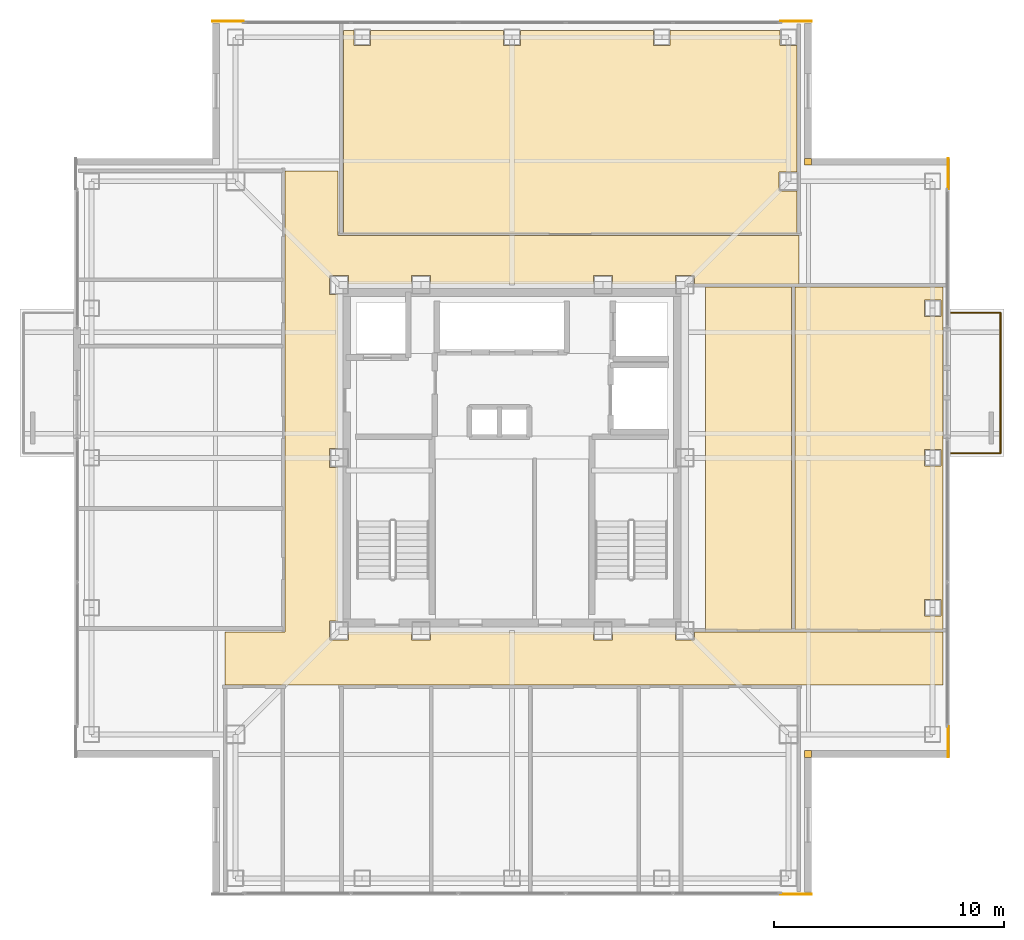
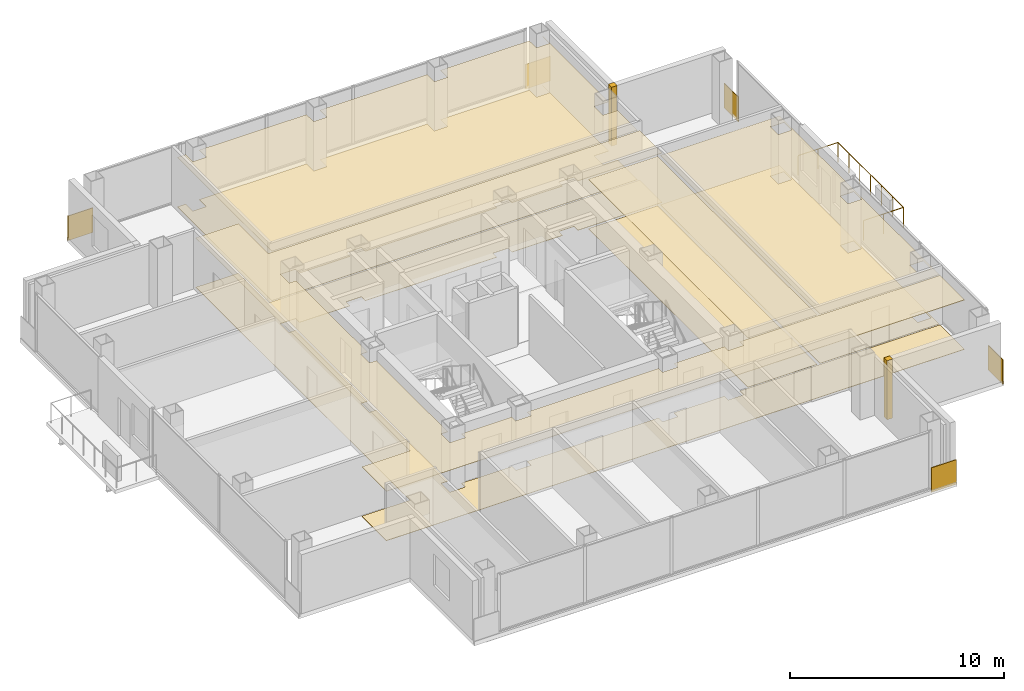
# One storey, part 13 of 13: 15 coverings, 3 railings.
"""IFC4 building model written with IfcOpenShell, lengths in metres."""

from ifc_helpers import new_model, si_unit, direction, frame, frame_2d, origin, origin_2d, place, context, subcontext, project, spatial, polyline, rectangle, circle, outline, extrude, material, layer, layer_set, type_object, element, save


model = new_model("IFC4")

# Units and contexts
model_context = context("Model", 3, precision=1e-05, world=origin(), true_north=direction((0.0, 1.0)))
body_context = subcontext(model_context, "Body", "Model", "MODEL_VIEW")
ifc_project = project(units=[si_unit("LENGTHUNIT", "METRE"), si_unit("AREAUNIT", "SQUARE_METRE"), si_unit("VOLUMEUNIT", "CUBIC_METRE"), si_unit("PLANEANGLEUNIT", "RADIAN"), si_unit("MASSUNIT", "GRAM", prefix="KILO")], contexts=[model_context])

# Site, building, storey
site_placement = place(None, origin())
site = spatial("IfcSite", under=ifc_project, at=site_placement, CompositionType="ELEMENT")
building_placement = place(site_placement, origin())
building = spatial("IfcBuilding", under=site, at=building_placement, Name="Trevonay Congress Spire", CompositionType="ELEMENT")
storey_placement = place(building_placement, frame((0.0, 0.0, 286.39990234375)))
storey = spatial("IfcBuildingStorey", under=building, at=storey_placement, Name="L75", CompositionType="ELEMENT", Elevation=286.39990234375)

# Coverings
ifc_material_1 = material(Name="Acoustic Mineral Fibre Board", Category="gypsum")
ifc_layer_1 = layer(ifc_material_1, 0.02490234375, Name="Acoustic Mineral Fibre Board")
ifc_layer_set_1 = layer_set([ifc_layer_1], Name="Acoustic Mineral Fibre Board")
covering_type_1 = type_object("IfcCoveringType", Name="COV-CEIL-ACOUSTIC", PredefinedType="CEILING", material=ifc_layer_set_1)
covering_1_placement = place(storey_placement, frame((0.0, 0.0, 2.81005859375)))
element("IfcCovering", 1, at=covering_1_placement, inside=storey, type_object=covering_type_1, Name="L75 Cruciform Boulevard Corridor acoustic suspended ceiling", PredefinedType="CEILING", context=body_context, shape_type="SweptSolid", body=[
    extrude(outline(polyline([(18.699951171875, -7.550048828125), (18.699951171875, -9.85009765625), (-12.449951171875, -9.85009765625), (-12.449951171875, -7.550048828125), (-9.85009765625, -7.550048828125), (-9.85009765625, 12.449951171875), (-7.550048828125, 12.449951171875), (-7.550048828125, 9.64990234375), (12.449951171875, 9.64990234375), (12.449951171875, 7.550048828125), (7.909912109375, 7.550048828125), (7.909912109375, 7.909912109375), (7.090087890625, 7.909912109375), (7.090087890625, 7.550048828125), (4.360107421875, 7.550048828125), (4.360107421875, 7.909912109375), (3.5400390625, 7.909912109375), (3.5400390625, 7.550048828125), (-3.5400390625, 7.550048828125), (-3.5400390625, 7.909912109375), (-4.360107421875, 7.909912109375), (-4.360107421875, 7.550048828125), (-7.090087890625, 7.550048828125), (-7.090087890625, 7.909912109375), (-7.909912109375, 7.909912109375), (-7.909912109375, 7.090087890625), (-7.550048828125, 7.090087890625), (-7.550048828125, 0.409912109375), (-7.909912109375, 0.409912109375), (-7.909912109375, -0.409912109375), (-7.550048828125, -0.409912109375), (-7.550048828125, -7.090087890625), (-7.909912109375, -7.090087890625), (-7.909912109375, -7.909912109375), (-7.090087890625, -7.909912109375), (-7.090087890625, -7.550048828125), (-4.360107421875, -7.550048828125), (-4.360107421875, -7.909912109375), (-3.5400390625, -7.909912109375), (-3.5400390625, -7.550048828125), (3.5400390625, -7.550048828125), (3.5400390625, -7.909912109375), (4.360107421875, -7.909912109375), (4.360107421875, -7.550048828125), (7.090087890625, -7.550048828125), (7.090087890625, -7.909912109375), (7.909912109375, -7.909912109375), (7.909912109375, -7.550048828125), (18.699951171875, -7.550048828125)])), origin(), (0.0, 0.0, 1.0), 0.025146484375),
])
covering_2_placement = place(storey_placement, frame((0.0, 0.0, 2.81005859375)))
element("IfcCovering", 2, at=covering_2_placement, inside=storey, type_object=covering_type_1, Name="L75 Sky Chamber Recital Auditorium acoustic suspended ceiling", PredefinedType="CEILING", context=body_context, shape_type="SweptSolid", body=[
    extrude(outline(polyline([(12.3701171875, 9.72998046875), (-7.320068359375, 9.72998046875), (-7.320068359375, 18.550048828125), (-6.860107421875, 18.550048828125), (-6.860107421875, 17.889892578125), (-6.139892578125, 17.889892578125), (-6.139892578125, 18.550048828125), (-0.360107421875, 18.550048828125), (-0.360107421875, 17.889892578125), (0.360107421875, 17.889892578125), (0.360107421875, 18.550048828125), (6.139892578125, 18.550048828125), (6.139892578125, 17.889892578125), (6.860107421875, 17.889892578125), (6.860107421875, 18.550048828125), (11.639892578125, 18.550048828125), (11.639892578125, 17.889892578125), (12.360107421875, 17.889892578125), (12.360107421875, 18.550048828125), (12.3701171875, 18.550048828125), (12.3701171875, 12.409912109375), (11.590087890625, 12.409912109375), (11.590087890625, 11.590087890625), (12.3701171875, 11.590087890625), (12.3701171875, 9.72998046875)])), origin(), (0.0, 0.0, 1.0), 0.025146484375),
])
covering_3_placement = place(storey_placement, frame((0.0, 0.0, 2.81005859375)))
element("IfcCovering", 3, at=covering_3_placement, inside=storey, type_object=covering_type_1, Name="L75 Executive Study Office acoustic suspended ceiling", PredefinedType="CEILING", context=body_context, shape_type="SweptSolid", body=[
    extrude(outline(polyline([(8.39990234375, -7.47998046875), (12.1201171875, -7.47998046875), (12.1201171875, 7.419921875), (8.39990234375, 7.419921875), (8.39990234375, -7.47998046875)])), origin(), (0.0, 0.0, 1.0), 0.025146484375),
])
covering_4_placement = place(storey_placement, frame((0.0, 0.0, 2.81005859375)))
element("IfcCovering", 4, at=covering_4_placement, inside=storey, type_object=covering_type_1, Name="L75 Catering Pantry acoustic suspended ceiling", PredefinedType="CEILING", context=body_context, shape_type="SweptSolid", body=[
    extrude(outline(polyline([(12.280029296875, 7.419921875), (18.699951171875, 7.419921875), (18.699951171875, -7.47998046875), (12.280029296875, -7.47998046875), (12.280029296875, 7.419921875)]), holes=[polyline([(17.889892578125, -6.860107421875), (18.610107421875, -6.860107421875), (18.610107421875, -6.139892578125), (17.889892578125, -6.139892578125), (17.889892578125, -6.860107421875)]), polyline([(17.889892578125, 0.360107421875), (17.889892578125, -0.360107421875), (18.610107421875, -0.360107421875), (18.610107421875, 0.360107421875), (17.889892578125, 0.360107421875)]), polyline([(17.889892578125, 6.860107421875), (17.889892578125, 6.139892578125), (18.610107421875, 6.139892578125), (18.610107421875, 6.860107421875), (17.889892578125, 6.860107421875)])]), origin(), (0.0, 0.0, 1.0), 0.025146484375),
])
ifc_material_2 = material(Name="Polished Granite Floor Tile", Category="masonry")
ifc_layer_2 = layer(ifc_material_2, 0.02001953125, Name="Polished Granite Floor Tile")
ifc_layer_set_2 = layer_set([ifc_layer_2], Name="Polished Granite Floor Tile")
covering_type_2 = type_object("IfcCoveringType", Name="COV-FLOOR-STONE", PredefinedType="FLOORING", material=ifc_layer_set_2)
covering_5_placement = place(storey_placement, origin())
element("IfcCovering", 5, at=covering_5_placement, inside=storey, type_object=covering_type_2, Name="L75 Cruciform Boulevard Corridor floor finish", PredefinedType="FLOORING", context=body_context, shape_type="SweptSolid", body=[
    extrude(outline(polyline([(18.699951171875, -7.550048828125), (18.699951171875, -9.85009765625), (-12.449951171875, -9.85009765625), (-12.449951171875, -7.550048828125), (-9.85009765625, -7.550048828125), (-9.85009765625, 12.449951171875), (-7.550048828125, 12.449951171875), (-7.550048828125, 9.64990234375), (12.449951171875, 9.64990234375), (12.449951171875, 7.550048828125), (7.909912109375, 7.550048828125), (7.909912109375, 7.909912109375), (7.090087890625, 7.909912109375), (7.090087890625, 7.550048828125), (4.360107421875, 7.550048828125), (4.360107421875, 7.909912109375), (3.5400390625, 7.909912109375), (3.5400390625, 7.550048828125), (-3.5400390625, 7.550048828125), (-3.5400390625, 7.909912109375), (-4.360107421875, 7.909912109375), (-4.360107421875, 7.550048828125), (-7.090087890625, 7.550048828125), (-7.090087890625, 7.909912109375), (-7.909912109375, 7.909912109375), (-7.909912109375, 7.090087890625), (-7.550048828125, 7.090087890625), (-7.550048828125, 0.409912109375), (-7.909912109375, 0.409912109375), (-7.909912109375, -0.409912109375), (-7.550048828125, -0.409912109375), (-7.550048828125, -7.090087890625), (-7.909912109375, -7.090087890625), (-7.909912109375, -7.909912109375), (-7.090087890625, -7.909912109375), (-7.090087890625, -7.550048828125), (-4.360107421875, -7.550048828125), (-4.360107421875, -7.909912109375), (-3.5400390625, -7.909912109375), (-3.5400390625, -7.550048828125), (3.5400390625, -7.550048828125), (3.5400390625, -7.909912109375), (4.360107421875, -7.909912109375), (4.360107421875, -7.550048828125), (7.090087890625, -7.550048828125), (7.090087890625, -7.909912109375), (7.909912109375, -7.909912109375), (7.909912109375, -7.550048828125), (18.699951171875, -7.550048828125)])), origin(), (0.0, 0.0, 1.0), 0.02001953125),
])
covering_6_placement = place(storey_placement, origin())
element("IfcCovering", 6, at=covering_6_placement, inside=storey, type_object=covering_type_2, Name="L75 Sky Chamber Recital Auditorium floor finish", PredefinedType="FLOORING", context=body_context, shape_type="SweptSolid", body=[
    extrude(outline(polyline([(12.3701171875, 9.72998046875), (-7.320068359375, 9.72998046875), (-7.320068359375, 18.550048828125), (-6.860107421875, 18.550048828125), (-6.860107421875, 17.889892578125), (-6.139892578125, 17.889892578125), (-6.139892578125, 18.550048828125), (-0.360107421875, 18.550048828125), (-0.360107421875, 17.889892578125), (0.360107421875, 17.889892578125), (0.360107421875, 18.550048828125), (6.139892578125, 18.550048828125), (6.139892578125, 17.889892578125), (6.860107421875, 17.889892578125), (6.860107421875, 18.550048828125), (11.639892578125, 18.550048828125), (11.639892578125, 17.889892578125), (12.360107421875, 17.889892578125), (12.360107421875, 18.550048828125), (12.3701171875, 18.550048828125), (12.3701171875, 12.409912109375), (11.590087890625, 12.409912109375), (11.590087890625, 11.590087890625), (12.3701171875, 11.590087890625), (12.3701171875, 9.72998046875)])), origin(), (0.0, 0.0, 1.0), 0.02001953125),
])
covering_7_placement = place(storey_placement, origin())
element("IfcCovering", 7, at=covering_7_placement, inside=storey, type_object=covering_type_2, Name="L75 Catering Pantry floor finish", PredefinedType="FLOORING", context=body_context, shape_type="SweptSolid", body=[
    extrude(outline(polyline([(12.280029296875, 7.419921875), (18.699951171875, 7.419921875), (18.699951171875, -7.47998046875), (12.280029296875, -7.47998046875), (12.280029296875, 7.419921875)]), holes=[polyline([(17.889892578125, -6.860107421875), (18.610107421875, -6.860107421875), (18.610107421875, -6.139892578125), (17.889892578125, -6.139892578125), (17.889892578125, -6.860107421875)]), polyline([(17.889892578125, 0.360107421875), (17.889892578125, -0.360107421875), (18.610107421875, -0.360107421875), (18.610107421875, 0.360107421875), (17.889892578125, 0.360107421875)]), polyline([(17.889892578125, 6.860107421875), (17.889892578125, 6.139892578125), (18.610107421875, 6.139892578125), (18.610107421875, 6.860107421875), (17.889892578125, 6.860107421875)])]), origin(), (0.0, 0.0, 1.0), 0.02001953125),
])
ifc_material_3 = material(Name="Engineered Oak Flooring", Category="wood")
ifc_layer_3 = layer(ifc_material_3, 0.01806640625, Name="Engineered Oak Flooring")
ifc_layer_set_3 = layer_set([ifc_layer_3], Name="Engineered Oak Flooring")
covering_type_3 = type_object("IfcCoveringType", Name="COV-FLOOR-TIMBER", PredefinedType="FLOORING", material=ifc_layer_set_3)
covering_8_placement = place(storey_placement, origin())
element("IfcCovering", 8, at=covering_8_placement, inside=storey, type_object=covering_type_3, Name="L75 Executive Study Office floor finish", PredefinedType="FLOORING", context=body_context, shape_type="SweptSolid", body=[
    extrude(outline(polyline([(8.39990234375, -7.47998046875), (12.1201171875, -7.47998046875), (12.1201171875, 7.419921875), (8.39990234375, 7.419921875), (8.39990234375, -7.47998046875)])), origin(), (0.0, 0.0, 1.0), 0.01806640625),
])
ifc_material_4 = material(Name="Pale Anodised Aluminium EN AW-6063-T6", Category="aluminium")
ifc_layer_4 = layer(ifc_material_4, 0.0400390625, Name="Pale Anodised Aluminium EN AW-6063-T6")
ifc_layer_set_4 = layer_set([ifc_layer_4], Name="Pale Anodised Aluminium EN AW-6063-T6")
covering_type_4 = type_object("IfcCoveringType", Name="COV-SPANDREL-PALE-METAL", PredefinedType="CLADDING", material=ifc_layer_set_4)
covering_9_placement = place(storey_placement, origin())
element("IfcCovering", 9, at=covering_9_placement, inside=storey, type_object=covering_type_4, Name="L75 SE re-entrant notch corner closure trim", PredefinedType="CLADDING", context=body_context, shape_type="SweptSolid", body=[
    extrude(outline(polyline([(12.699951171875, -13.0), (13.0, -13.0), (13.0, -12.699951171875), (12.699951171875, -12.699951171875), (12.699951171875, -13.0)])), origin(), (0.0, 0.0, 1.0), 3.360107421875),
])
for number, where, z_axis, x_axis, name in (
    (10, (18.93994140625, -11.64990234375, -0.14990234375), (0.0, 0.0, 1.0), (0.0, -1.0, 0.0), "L75 SE corner pier spandrel cladding 1"),
    (11, (11.64990234375, -18.93994140625, -0.14990234375), (0.0, 0.0, 1.0), (1.0, 0.0, 0.0), "L75 SE corner pier spandrel cladding 2"),
):
    element("IfcCovering", number, at=place(storey_placement, frame(where, z_axis=z_axis, x_axis=x_axis)), inside=storey, type_object=covering_type_4, Name=name, PredefinedType="CLADDING", context=body_context, shape_type="SweptSolid", body=[
        extrude(rectangle(XDim=1.35009765625, YDim=0.0400390625, at=frame_2d((0.675048828125, 0.0))), origin(), (0.0, 0.0, 1.0), 1.39990234375),
    ])
covering_10_placement = place(storey_placement, origin())
element("IfcCovering", 12, at=covering_10_placement, inside=storey, type_object=covering_type_4, Name="L75 NE re-entrant notch corner closure trim", PredefinedType="CLADDING", context=body_context, shape_type="SweptSolid", body=[
    extrude(outline(polyline([(12.699951171875, 12.699951171875), (13.0, 12.699951171875), (13.0, 13.0), (12.699951171875, 13.0), (12.699951171875, 12.699951171875)])), origin(), (0.0, 0.0, 1.0), 3.360107421875),
])
for number, where, z_axis, x_axis, name in (
    (13, (18.93994140625, 11.64990234375, -0.14990234375), (0.0, 0.0, 1.0), (0.0, 1.0, 0.0), "L75 NE corner pier spandrel cladding 1"),
    (14, (11.64990234375, 18.93994140625, -0.14990234375), (0.0, 0.0, 1.0), (1.0, 0.0, 0.0), "L75 NE corner pier spandrel cladding 2"),
    (15, (-11.64990234375, 18.93994140625, -0.14990234375), (0.0, 0.0, 1.0), (-1.0, 0.0, 0.0), "L75 NW corner pier spandrel cladding 2"),
):
    element("IfcCovering", number, at=place(storey_placement, frame(where, z_axis=z_axis, x_axis=x_axis)), inside=storey, type_object=covering_type_4, Name=name, PredefinedType="CLADDING", context=body_context, shape_type="SweptSolid", body=[
        extrude(rectangle(XDim=1.35009765625, YDim=0.0400390625, at=frame_2d((0.675048828125, 0.0))), origin(), (0.0, 0.0, 1.0), 1.39990234375),
    ])

# Railings
railing_type = type_object("IfcRailingType", Name="RAL-EXT-GUARD-115", PredefinedType="GUARDRAIL", material=ifc_material_4)
railing_1_placement = place(storey_placement, frame((19.050048828125, 0.199951171875, 0.0)))
element("IfcRailing", 16, at=railing_1_placement, inside=storey, type_object=railing_type, Name="L75 perimeter safety guard GRD-L75-TBAL-E-1", PredefinedType="GUARDRAIL", context=body_context, shape_type="SweptSolid", body=[
    extrude(circle(Radius=0.02392578125, at=origin_2d()), frame((0.0, 0.0, 1.1259765625), z_axis=(1.0, 0.0, 0.0), x_axis=(0.0, 1.0, 0.0)), (0.0, 0.0, 1.0), 2.14990234375),
    extrude(circle(Radius=0.02099609375, at=origin_2d()), origin(), (0.0, 0.0, 1.0), 1.101806640625),
    extrude(circle(Radius=0.02099609375, at=origin_2d()), frame((1.074951171875, 0.0, 0.0)), (0.0, 0.0, 1.0), 1.101806640625),
    extrude(circle(Radius=0.02099609375, at=origin_2d()), frame((2.14990234375, 0.0, 0.0)), (0.0, 0.0, 1.0), 1.101806640625),
])
railing_2_placement = place(storey_placement, frame((21.199951171875, 0.199951171875, 0.0)))
element("IfcRailing", 17, at=railing_2_placement, inside=storey, type_object=railing_type, Name="L75 perimeter safety guard GRD-L75-TBAL-E-2", PredefinedType="GUARDRAIL", context=body_context, shape_type="SweptSolid", body=[
    extrude(circle(Radius=0.02392578125, at=origin_2d()), frame((0.0, 0.0, 1.1259765625), z_axis=(0.0, 1.0, 0.0), x_axis=(-1.0, 0.0, 0.0)), (0.0, 0.0, 1.0), 6.10009765625),
    extrude(circle(Radius=0.02099609375, at=origin_2d()), origin(), (0.0, 0.0, 1.0), 1.101806640625),
    extrude(circle(Radius=0.02099609375, at=origin_2d()), frame((0.0, 1.0166015625, 0.0)), (0.0, 0.0, 1.0), 1.101806640625),
    extrude(circle(Radius=0.02099609375, at=origin_2d()), frame((0.0, 2.033447265625, 0.0)), (0.0, 0.0, 1.0), 1.101806640625),
    extrude(circle(Radius=0.02099609375, at=origin_2d()), frame((0.0, 3.050048828125, 0.0)), (0.0, 0.0, 1.0), 1.101806640625),
    extrude(circle(Radius=0.02099609375, at=origin_2d()), frame((0.0, 4.066650390625, 0.0)), (0.0, 0.0, 1.0), 1.101806640625),
    extrude(circle(Radius=0.02099609375, at=origin_2d()), frame((0.0, 5.08349609375, 0.0)), (0.0, 0.0, 1.0), 1.101806640625),
    extrude(circle(Radius=0.02099609375, at=origin_2d()), frame((0.0, 6.10009765625, 0.0)), (0.0, 0.0, 1.0), 1.101806640625),
])
railing_3_placement = place(storey_placement, frame((21.199951171875, 6.300048828125, 0.0)))
element("IfcRailing", 18, at=railing_3_placement, inside=storey, type_object=railing_type, Name="L75 perimeter safety guard GRD-L75-TBAL-E-3", PredefinedType="GUARDRAIL", context=body_context, shape_type="SweptSolid", body=[
    extrude(circle(Radius=0.02392578125, at=origin_2d()), frame((0.0, 0.0, 1.1259765625), z_axis=(-1.0, 0.0, 0.0), x_axis=(0.0, -1.0, 0.0)), (0.0, 0.0, 1.0), 2.14990234375),
    extrude(circle(Radius=0.02099609375, at=origin_2d()), origin(), (0.0, 0.0, 1.0), 1.101806640625),
    extrude(circle(Radius=0.02099609375, at=origin_2d()), frame((-1.074951171875, 0.0, 0.0)), (0.0, 0.0, 1.0), 1.101806640625),
    extrude(circle(Radius=0.02099609375, at=origin_2d()), frame((-2.14990234375, 0.0, 0.0)), (0.0, 0.0, 1.0), 1.101806640625),
])

save(model, "model.ifc")
